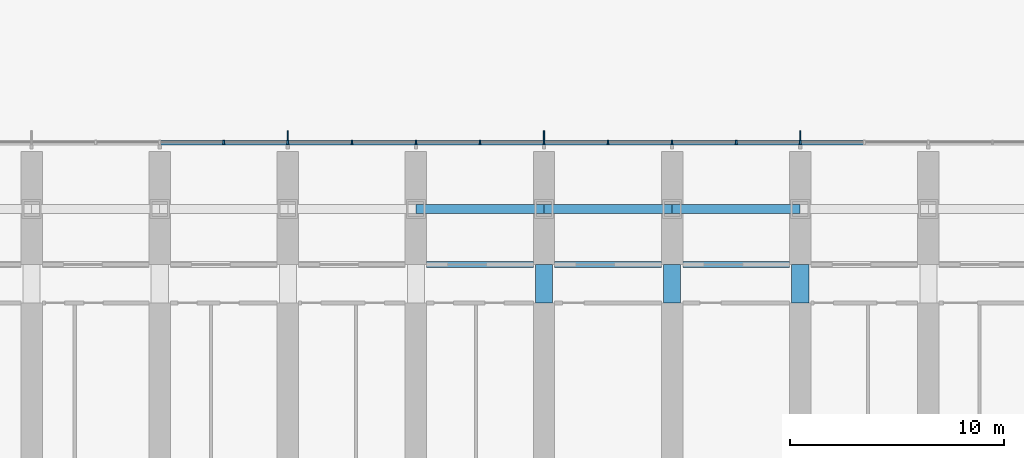
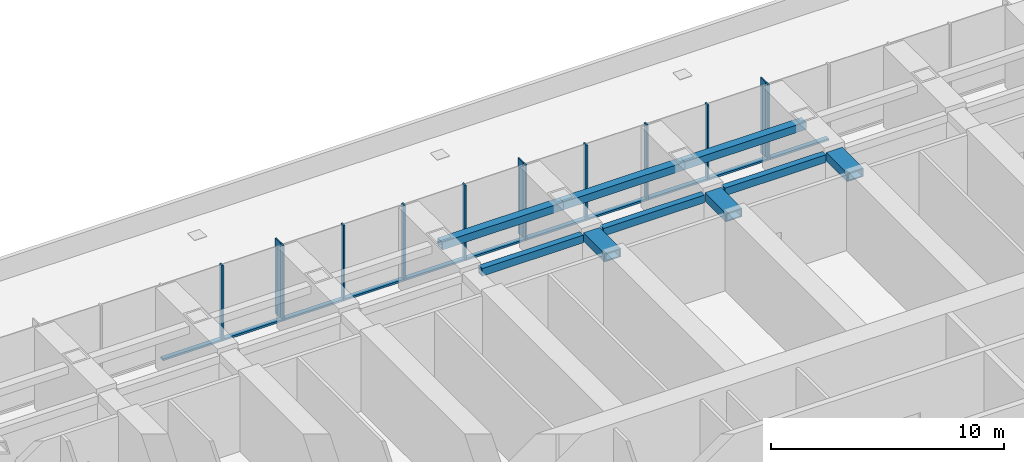
# One storey, part 5 of 23: 24 members, 9 beams, 1 element without a shape of its own.
"""IFC4 building model written with IfcOpenShell, lengths in metres."""

from ifc_helpers import new_model, si_unit, direction, frame, origin, origin_2d, place, context, subcontext, project, spatial, rectangle, hollow_rectangle, extrude, material, material_profile, profile_set, type_object, element, aggregate, save


model = new_model("IFC4")

# Units and contexts
model_context = context("Model", 3, precision=1e-05, world=origin(), true_north=direction((0.0, 1.0)))
body_context = subcontext(model_context, "Body", "Model", "MODEL_VIEW")
ifc_project = project(units=[si_unit("LENGTHUNIT", "METRE"), si_unit("AREAUNIT", "SQUARE_METRE"), si_unit("VOLUMEUNIT", "CUBIC_METRE"), si_unit("PLANEANGLEUNIT", "RADIAN"), si_unit("MASSUNIT", "GRAM", prefix="KILO")], contexts=[model_context])

# Site, building, storey
site_placement = place(None, origin())
site = spatial("IfcSite", under=ifc_project, at=site_placement, CompositionType="ELEMENT")
building_placement = place(site_placement, origin())
building = spatial("IfcBuilding", under=site, at=building_placement, Name="Orbita Commons", CompositionType="ELEMENT")
storey_placement = place(building_placement, frame((0.0, 0.0, 16.0)))
storey = spatial("IfcBuildingStorey", under=building, at=storey_placement, Name="L03", CompositionType="ELEMENT", Elevation=16.0)

# Curtain wall, members
ifc_material_1 = material(Name="Anodised aluminium frame, pale silver", Category="aluminium")
curtain_wall_type = type_object("IfcCurtainWallType", Name="Unitised curtain wall CW-S, full-height", PredefinedType="NOTDEFINED", material=ifc_material_1)
curtain_wall_placement = place(storey_placement, origin())
curtain_wall = element("IfcCurtainWall", 1, at=curtain_wall_placement, inside=storey, type_object=curtain_wall_type, Name="Curtain wall north L03", PredefinedType="NOTDEFINED")
ifc_material_2 = material(Name="Anodised aluminium, pale silver", Category="aluminium")
ifc_material_profile_1 = material_profile(ifc_material_2, rectangle(XDim=0.080078125, YDim=0.219970703125, at=origin_2d()), Name="AL 80x220")
ifc_profile_set_1 = profile_set([ifc_material_profile_1], Name="Anodised aluminium, pale silver")
member_type_1 = type_object("IfcMemberType", Name="Curtain wall mullion 80x220", PredefinedType="MULLION", material=ifc_profile_set_1)
member_1_placement = place(storey_placement, frame((60.0, 56.7099609375, 0.0), z_axis=(0.0, 0.0, 1.0), x_axis=(-1.0, 0.0, 0.0)))
member_1 = element("IfcMember", 2, at=member_1_placement, type_object=member_type_1, Name="Mullion 5 CW-L03-N", PredefinedType="MULLION", context=body_context, shape_type="SweptSolid", body=[
    extrude(rectangle(XDim=0.080078125, YDim=0.219970703125, at=origin_2d()), origin(), (0.0, 0.0, 1.0), 3.949951171875),
])
member_2_placement = place(storey_placement, frame((57.0, 56.7099609375, 0.0), z_axis=(0.0, 0.0, 1.0), x_axis=(-1.0, 0.0, 0.0)))
member_2 = element("IfcMember", 3, at=member_2_placement, type_object=member_type_1, Name="Mullion 6 CW-L03-N", PredefinedType="MULLION", context=body_context, shape_type="SweptSolid", body=[
    extrude(rectangle(XDim=0.080078125, YDim=0.219970703125, at=origin_2d()), origin(), (0.0, 0.0, 1.0), 3.949951171875),
])
member_3_placement = place(storey_placement, frame((54.0, 56.7099609375, 0.0), z_axis=(0.0, 0.0, 1.0), x_axis=(-1.0, 0.0, 0.0)))
member_3 = element("IfcMember", 4, at=member_3_placement, type_object=member_type_1, Name="Mullion 7 CW-L03-N", PredefinedType="MULLION", context=body_context, shape_type="SweptSolid", body=[
    extrude(rectangle(XDim=0.080078125, YDim=0.219970703125, at=origin_2d()), origin(), (0.0, 0.0, 1.0), 3.949951171875),
])
member_4_placement = place(storey_placement, frame((51.0, 56.7099609375, 0.0), z_axis=(0.0, 0.0, 1.0), x_axis=(-1.0, 0.0, 0.0)))
member_4 = element("IfcMember", 5, at=member_4_placement, type_object=member_type_1, Name="Mullion 8 CW-L03-N", PredefinedType="MULLION", context=body_context, shape_type="SweptSolid", body=[
    extrude(rectangle(XDim=0.080078125, YDim=0.219970703125, at=origin_2d()), origin(), (0.0, 0.0, 1.0), 3.949951171875),
])
member_5_placement = place(storey_placement, frame((48.0, 56.7099609375, 0.0), z_axis=(0.0, 0.0, 1.0), x_axis=(-1.0, 0.0, 0.0)))
member_5 = element("IfcMember", 6, at=member_5_placement, type_object=member_type_1, Name="Mullion 9 CW-L03-N", PredefinedType="MULLION", context=body_context, shape_type="SweptSolid", body=[
    extrude(rectangle(XDim=0.080078125, YDim=0.219970703125, at=origin_2d()), origin(), (0.0, 0.0, 1.0), 3.949951171875),
])
member_6_placement = place(storey_placement, frame((45.0, 56.7099609375, 0.0), z_axis=(0.0, 0.0, 1.0), x_axis=(-1.0, 0.0, 0.0)))
member_6 = element("IfcMember", 7, at=member_6_placement, type_object=member_type_1, Name="Mullion 10 CW-L03-N", PredefinedType="MULLION", context=body_context, shape_type="SweptSolid", body=[
    extrude(rectangle(XDim=0.080078125, YDim=0.219970703125, at=origin_2d()), origin(), (0.0, 0.0, 1.0), 3.949951171875),
])
member_7_placement = place(storey_placement, frame((42.0, 56.7099609375, 0.0), z_axis=(0.0, 0.0, 1.0), x_axis=(-1.0, 0.0, 0.0)))
member_7 = element("IfcMember", 8, at=member_7_placement, type_object=member_type_1, Name="Mullion 11 CW-L03-N", PredefinedType="MULLION", context=body_context, shape_type="SweptSolid", body=[
    extrude(rectangle(XDim=0.080078125, YDim=0.219970703125, at=origin_2d()), origin(), (0.0, 0.0, 1.0), 3.949951171875),
])
member_8_placement = place(storey_placement, frame((39.0, 56.7099609375, 0.0), z_axis=(0.0, 0.0, 1.0), x_axis=(-1.0, 0.0, 0.0)))
member_8 = element("IfcMember", 9, at=member_8_placement, type_object=member_type_1, Name="Mullion 12 CW-L03-N", PredefinedType="MULLION", context=body_context, shape_type="SweptSolid", body=[
    extrude(rectangle(XDim=0.080078125, YDim=0.219970703125, at=origin_2d()), origin(), (0.0, 0.0, 1.0), 3.949951171875),
])
member_9_placement = place(storey_placement, frame((36.0, 56.7099609375, 0.0), z_axis=(0.0, 0.0, 1.0), x_axis=(-1.0, 0.0, 0.0)))
member_9 = element("IfcMember", 10, at=member_9_placement, type_object=member_type_1, Name="Mullion 13 CW-L03-N", PredefinedType="MULLION", context=body_context, shape_type="SweptSolid", body=[
    extrude(rectangle(XDim=0.080078125, YDim=0.219970703125, at=origin_2d()), origin(), (0.0, 0.0, 1.0), 3.949951171875),
])
member_10_placement = place(storey_placement, frame((33.0, 56.7099609375, 0.0), z_axis=(0.0, 0.0, 1.0), x_axis=(-1.0, 0.0, 0.0)))
member_10 = element("IfcMember", 11, at=member_10_placement, type_object=member_type_1, Name="Mullion 14 CW-L03-N", PredefinedType="MULLION", context=body_context, shape_type="SweptSolid", body=[
    extrude(rectangle(XDim=0.080078125, YDim=0.219970703125, at=origin_2d()), origin(), (0.0, 0.0, 1.0), 3.949951171875),
])
ifc_material_3 = material(Name="Anodised aluminium, pale silver", Category="aluminium")
ifc_material_profile_2 = material_profile(ifc_material_3, rectangle(XDim=0.219970703125, YDim=0.10009765625, at=origin_2d()), Name="AL 220x100")
ifc_profile_set_2 = profile_set([ifc_material_profile_2], Name="Anodised aluminium, pale silver")
member_type_2 = type_object("IfcMemberType", Name="Curtain wall stack transom 220x100", PredefinedType="USERDEFINED", material=ifc_profile_set_2)
member_11_placement = place(storey_placement, frame((62.9599609375, 56.7099609375, 0.050048828125), z_axis=(-1.0, 0.0, 0.0), x_axis=(0.0, -1.0, 0.0)))
member_11 = element("IfcMember", 12, at=member_11_placement, type_object=member_type_2, Name="Transom 4.1 CW-L03-N", ObjectType="TRANSOM", PredefinedType="USERDEFINED", context=body_context, shape_type="SweptSolid", body=[
    extrude(rectangle(XDim=0.219970703125, YDim=0.10009765625, at=origin_2d()), origin(), (0.0, 0.0, 1.0), 2.919921875),
])
member_12_placement = place(storey_placement, frame((59.9599609375, 56.7099609375, 0.050048828125), z_axis=(-1.0, 0.0, 0.0), x_axis=(0.0, -1.0, 0.0)))
member_12 = element("IfcMember", 13, at=member_12_placement, type_object=member_type_2, Name="Transom 5.1 CW-L03-N", ObjectType="TRANSOM", PredefinedType="USERDEFINED", context=body_context, shape_type="SweptSolid", body=[
    extrude(rectangle(XDim=0.219970703125, YDim=0.10009765625, at=origin_2d()), origin(), (0.0, 0.0, 1.0), 2.919921875),
])
member_13_placement = place(storey_placement, frame((56.9599609375, 56.7099609375, 0.050048828125), z_axis=(-1.0, 0.0, 0.0), x_axis=(0.0, -1.0, 0.0)))
member_13 = element("IfcMember", 14, at=member_13_placement, type_object=member_type_2, Name="Transom 6.1 CW-L03-N", ObjectType="TRANSOM", PredefinedType="USERDEFINED", context=body_context, shape_type="SweptSolid", body=[
    extrude(rectangle(XDim=0.219970703125, YDim=0.10009765625, at=origin_2d()), origin(), (0.0, 0.0, 1.0), 2.919921875),
])
member_14_placement = place(storey_placement, frame((53.9599609375, 56.7099609375, 0.050048828125), z_axis=(-1.0, 0.0, 0.0), x_axis=(0.0, -1.0, 0.0)))
member_14 = element("IfcMember", 15, at=member_14_placement, type_object=member_type_2, Name="Transom 7.1 CW-L03-N", ObjectType="TRANSOM", PredefinedType="USERDEFINED", context=body_context, shape_type="SweptSolid", body=[
    extrude(rectangle(XDim=0.219970703125, YDim=0.10009765625, at=origin_2d()), origin(), (0.0, 0.0, 1.0), 2.919921875),
])
member_15_placement = place(storey_placement, frame((50.9599609375, 56.7099609375, 0.050048828125), z_axis=(-1.0, 0.0, 0.0), x_axis=(0.0, -1.0, 0.0)))
member_15 = element("IfcMember", 16, at=member_15_placement, type_object=member_type_2, Name="Transom 8.1 CW-L03-N", ObjectType="TRANSOM", PredefinedType="USERDEFINED", context=body_context, shape_type="SweptSolid", body=[
    extrude(rectangle(XDim=0.219970703125, YDim=0.10009765625, at=origin_2d()), origin(), (0.0, 0.0, 1.0), 2.919921875),
])
member_16_placement = place(storey_placement, frame((47.9599609375, 56.7099609375, 0.050048828125), z_axis=(-1.0, 0.0, 0.0), x_axis=(0.0, -1.0, 0.0)))
member_16 = element("IfcMember", 17, at=member_16_placement, type_object=member_type_2, Name="Transom 9.1 CW-L03-N", ObjectType="TRANSOM", PredefinedType="USERDEFINED", context=body_context, shape_type="SweptSolid", body=[
    extrude(rectangle(XDim=0.219970703125, YDim=0.10009765625, at=origin_2d()), origin(), (0.0, 0.0, 1.0), 2.919921875),
])
member_17_placement = place(storey_placement, frame((44.9599609375, 56.7099609375, 0.050048828125), z_axis=(-1.0, 0.0, 0.0), x_axis=(0.0, -1.0, 0.0)))
member_17 = element("IfcMember", 18, at=member_17_placement, type_object=member_type_2, Name="Transom 10.1 CW-L03-N", ObjectType="TRANSOM", PredefinedType="USERDEFINED", context=body_context, shape_type="SweptSolid", body=[
    extrude(rectangle(XDim=0.219970703125, YDim=0.10009765625, at=origin_2d()), origin(), (0.0, 0.0, 1.0), 2.919921875),
])
member_18_placement = place(storey_placement, frame((41.9599609375, 56.7099609375, 0.050048828125), z_axis=(-1.0, 0.0, 0.0), x_axis=(0.0, -1.0, 0.0)))
member_18 = element("IfcMember", 19, at=member_18_placement, type_object=member_type_2, Name="Transom 11.1 CW-L03-N", ObjectType="TRANSOM", PredefinedType="USERDEFINED", context=body_context, shape_type="SweptSolid", body=[
    extrude(rectangle(XDim=0.219970703125, YDim=0.10009765625, at=origin_2d()), origin(), (0.0, 0.0, 1.0), 2.919921875),
])
member_19_placement = place(storey_placement, frame((38.9599609375, 56.7099609375, 0.050048828125), z_axis=(-1.0, 0.0, 0.0), x_axis=(0.0, -1.0, 0.0)))
member_19 = element("IfcMember", 20, at=member_19_placement, type_object=member_type_2, Name="Transom 12.1 CW-L03-N", ObjectType="TRANSOM", PredefinedType="USERDEFINED", context=body_context, shape_type="SweptSolid", body=[
    extrude(rectangle(XDim=0.219970703125, YDim=0.10009765625, at=origin_2d()), origin(), (0.0, 0.0, 1.0), 2.919921875),
])
member_20_placement = place(storey_placement, frame((35.9599609375, 56.7099609375, 0.050048828125), z_axis=(-1.0, 0.0, 0.0), x_axis=(0.0, -1.0, 0.0)))
member_20 = element("IfcMember", 21, at=member_20_placement, type_object=member_type_2, Name="Transom 13.1 CW-L03-N", ObjectType="TRANSOM", PredefinedType="USERDEFINED", context=body_context, shape_type="SweptSolid", body=[
    extrude(rectangle(XDim=0.219970703125, YDim=0.10009765625, at=origin_2d()), origin(), (0.0, 0.0, 1.0), 2.919921875),
])
member_21_placement = place(storey_placement, frame((32.9599609375, 56.7099609375, 0.050048828125), z_axis=(-1.0, 0.0, 0.0), x_axis=(0.0, -1.0, 0.0)))
member_21 = element("IfcMember", 22, at=member_21_placement, type_object=member_type_2, Name="Transom 14.1 CW-L03-N", ObjectType="TRANSOM", PredefinedType="USERDEFINED", context=body_context, shape_type="SweptSolid", body=[
    extrude(rectangle(XDim=0.219970703125, YDim=0.10009765625, at=origin_2d()), origin(), (0.0, 0.0, 1.0), 2.919921875),
])

# Beams
ifc_material_4 = material(Name="Steel ASTM A572 Gr 50 welded plate", Category="steel")
ifc_material_profile_3 = material_profile(ifc_material_4, hollow_rectangle(XDim=0.300048828125, YDim=0.39990234375, WallThickness=0.0400390625, at=origin_2d()), Name="BOX 400x300x40")
ifc_profile_set_3 = profile_set([ifc_material_profile_3], Name="Steel ASTM A572 Gr 50 welded plate")
beam_type_1 = type_object("IfcBeamType", Name="Steel corridor link BOX 400x300x40", PredefinedType="BEAM", material=ifc_profile_set_3)
for number, where, z_axis, x_axis, name in (
    (23, (42.5, 51.0, 3.75), (1.0, 0.0, 0.0), (0.0, 1.0, 0.0), "Corridor beam NB 8-9 L03"),
    (24, (48.5, 51.0, 3.75), (1.0, 0.0, 0.0), (0.0, 1.0, 0.0), "Corridor beam NB 9-10 L03"),
    (25, (54.5, 51.0, 3.75), (1.0, 0.0, 0.0), (0.0, 1.0, 0.0), "Corridor beam NB 10-11 L03"),
):
    element("IfcBeam", number, at=place(storey_placement, frame(where, z_axis=z_axis, x_axis=x_axis)), inside=storey, type_object=beam_type_1, Name=name, PredefinedType="BEAM", context=body_context, shape_type="SweptSolid", body=[
        extrude(hollow_rectangle(XDim=0.300048828125, YDim=0.39990234375, WallThickness=0.0400390625, at=origin_2d()), origin(), (0.0, 0.0, 1.0), 5.0),
    ])
ifc_material_5 = material(Name="Steel ASTM A572 Gr 50 welded plate", Category="steel")
ifc_material_profile_4 = material_profile(ifc_material_5, hollow_rectangle(XDim=0.800048828125, YDim=0.449951171875, WallThickness=0.06005859375, at=origin_2d()), Name="BOX 450x800x60")
ifc_profile_set_4 = profile_set([ifc_material_profile_4], Name="Steel ASTM A572 Gr 50 welded plate")
beam_type_2 = type_object("IfcBeamType", Name="Steel coupling link BOX 450x800x60", PredefinedType="LINTEL", material=ifc_profile_set_4)
for number, where, z_axis, x_axis, name in (
    (26, (48.0, 49.199951171875, 3.72509765625), (0.0, 1.0, 0.0), (-1.0, 0.0, 0.0), "Coupling beam 9 north L03"),
    (27, (54.0, 49.199951171875, 3.72509765625), (0.0, 1.0, 0.0), (-1.0, 0.0, 0.0), "Coupling beam 10 north L03"),
    (28, (60.0, 49.199951171875, 3.72509765625), (0.0, 1.0, 0.0), (-1.0, 0.0, 0.0), "Coupling beam 11 north L03"),
):
    element("IfcBeam", number, at=place(storey_placement, frame(where, z_axis=z_axis, x_axis=x_axis)), inside=storey, type_object=beam_type_2, Name=name, PredefinedType="LINTEL", context=body_context, shape_type="SweptSolid", body=[
        extrude(hollow_rectangle(XDim=0.800048828125, YDim=0.449951171875, WallThickness=0.06005859375, at=origin_2d()), origin(), (0.0, 0.0, 1.0), 1.800048828125),
    ])
ifc_material_6 = material(Name="Steel ASTM A572 Gr 50 welded plate", Category="steel")
ifc_material_profile_5 = material_profile(ifc_material_6, hollow_rectangle(XDim=0.39990234375, YDim=0.39990234375, WallThickness=0.0400390625, at=origin_2d()), Name="BOX 400x400x40")
ifc_profile_set_5 = profile_set([ifc_material_profile_5], Name="Steel ASTM A572 Gr 50 welded plate")
beam_type_3 = type_object("IfcBeamType", Name="Steel spandrel BOX 400x400x40", PredefinedType="SPANDREL", material=ifc_profile_set_5)
for number, where, z_axis, x_axis, name in (
    (29, (42.0, 53.60009765625, 3.75), (1.0, 0.0, 0.0), (0.0, 1.0, 0.0), "Spandrel beam E 8-9 L03"),
    (30, (48.0, 53.60009765625, 3.75), (1.0, 0.0, 0.0), (0.0, 1.0, 0.0), "Spandrel beam E 9-10 L03"),
    (31, (54.0, 53.60009765625, 3.75), (1.0, 0.0, 0.0), (0.0, 1.0, 0.0), "Spandrel beam E 10-11 L03"),
):
    element("IfcBeam", number, at=place(storey_placement, frame(where, z_axis=z_axis, x_axis=x_axis)), inside=storey, type_object=beam_type_3, Name=name, PredefinedType="SPANDREL", context=body_context, shape_type="SweptSolid", body=[
        extrude(hollow_rectangle(XDim=0.39990234375, YDim=0.39990234375, WallThickness=0.0400390625, at=origin_2d()), origin(), (0.0, 0.0, 1.0), 6.0),
    ])

# Member
ifc_material_7 = material(Name="Anodised aluminium, pale silver", Category="aluminium")
ifc_material_profile_6 = material_profile(ifc_material_7, rectangle(XDim=0.06005859375, YDim=0.449951171875, at=origin_2d()), Name="FIN 60x450")
ifc_profile_set_6 = profile_set([ifc_material_profile_6], Name="Anodised aluminium, pale silver")
member_type_3 = type_object("IfcMemberType", Name="Vertical fin 60x450 pale aluminium", PredefinedType="USERDEFINED", material=ifc_profile_set_6)
member_22_placement = place(storey_placement, frame((60.0, 57.044921875, 0.0), z_axis=(0.0, 0.0, 1.0), x_axis=(-1.0, 0.0, 0.0)))
member_22 = element("IfcMember", 32, at=member_22_placement, type_object=member_type_3, Name="Fin 5 CW-L03-N", ObjectType="FIN", PredefinedType="USERDEFINED", context=body_context, shape_type="SweptSolid", body=[
    extrude(rectangle(XDim=0.06005859375, YDim=0.449951171875, at=origin_2d()), origin(), (0.0, 0.0, 1.0), 3.949951171875),
])

member_23_placement = place(storey_placement, frame((48.0, 57.044921875, 0.0), z_axis=(0.0, 0.0, 1.0), x_axis=(-1.0, 0.0, 0.0)))
member_23 = element("IfcMember", 33, at=member_23_placement, type_object=member_type_3, Name="Fin 9 CW-L03-N", ObjectType="FIN", PredefinedType="USERDEFINED", context=body_context, shape_type="SweptSolid", body=[
    extrude(rectangle(XDim=0.06005859375, YDim=0.449951171875, at=origin_2d()), origin(), (0.0, 0.0, 1.0), 3.949951171875),
])

member_24_placement = place(storey_placement, frame((36.0, 57.044921875, 0.0), z_axis=(0.0, 0.0, 1.0), x_axis=(-1.0, 0.0, 0.0)))
member_24 = element("IfcMember", 34, at=member_24_placement, type_object=member_type_3, Name="Fin 13 CW-L03-N", ObjectType="FIN", PredefinedType="USERDEFINED", context=body_context, shape_type="SweptSolid", body=[
    extrude(rectangle(XDim=0.06005859375, YDim=0.449951171875, at=origin_2d()), origin(), (0.0, 0.0, 1.0), 3.949951171875),
])

aggregate(curtain_wall, [member_1, member_22, member_2, member_3, member_4, member_5, member_23, member_6, member_7, member_8, member_9, member_24, member_10, member_11, member_12, member_13, member_14, member_15, member_16, member_17, member_18, member_19, member_20, member_21])

save(model, "model.ifc")
